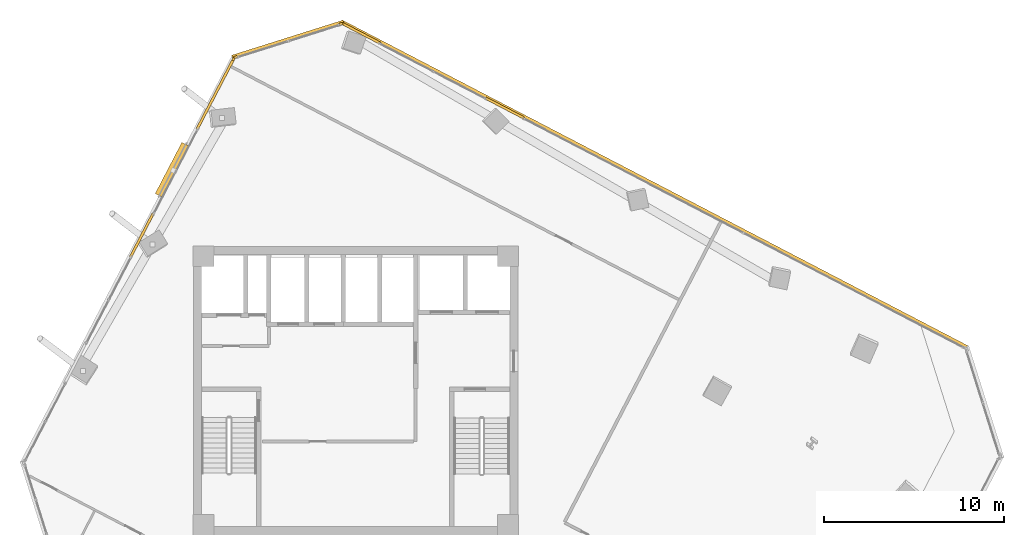
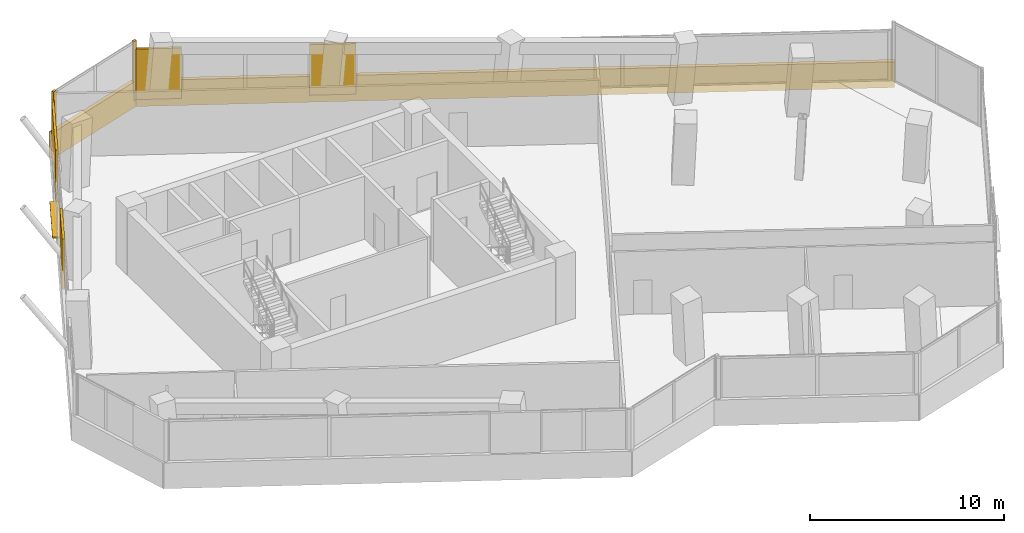
# One storey, part 22 of 22: 9 coverings, 1 shading device.
"""IFC4 building model written with IfcOpenShell, lengths in metres."""

from ifc_helpers import new_model, si_unit, direction, frame, origin, origin_2d, place, context, subcontext, project, spatial, rectangle, extrude, source, transform, mapped, material, layer, layer_set, type_object, element, save


model = new_model("IFC4")

# Units and contexts
model_context = context("Model", 3, precision=1e-05, world=origin(), true_north=direction((0.0, 1.0)))
body_context = subcontext(model_context, "Body", "Model", "MODEL_VIEW")
ifc_project = project(units=[si_unit("LENGTHUNIT", "METRE"), si_unit("AREAUNIT", "SQUARE_METRE"), si_unit("VOLUMEUNIT", "CUBIC_METRE"), si_unit("PLANEANGLEUNIT", "RADIAN"), si_unit("MASSUNIT", "GRAM", prefix="KILO")], contexts=[model_context])

# Site, building, storey
site_placement = place(None, origin())
site = spatial("IfcSite", under=ifc_project, at=site_placement, CompositionType="ELEMENT")
building_placement = place(site_placement, origin())
building = spatial("IfcBuilding", under=site, at=building_placement, Name="Torre Montelarca", CompositionType="ELEMENT")
storey_placement = place(building_placement, frame((0.0, 0.0, 175.0)))
storey = spatial("IfcBuildingStorey", under=building, at=storey_placement, Name="L39", CompositionType="ELEMENT", Elevation=175.0)

# Covering
ifc_material_1 = material(Name="Bush-hammered warm white precast concrete C45/55", Category="concrete")
ifc_layer_1 = layer(ifc_material_1, 0.139892578125, Name="Bush-hammered warm white precast concrete C45/55", Category="concrete")
ifc_layer_set_1 = layer_set([ifc_layer_1], Name="Bush-hammered warm white precast concrete C45/55")
covering_type = type_object("IfcCoveringType", Name="COV-TRAY-CLAD", PredefinedType="CLADDING", material=ifc_layer_set_1)
shared_shape_1 = source(origin(), body_context, "Body", "SweptSolid", [
    extrude(rectangle(XDim=6.48388671875, YDim=0.219970703125, at=origin_2d()), origin(), (0.0, 0.0, 1.0), 1.6201171875),
])
covering_1_placement = place(storey_placement, frame((14.24609375, 51.479248046875, -0.449951171875), z_axis=(0.0, 0.0, 1.0), x_axis=(-0.953715901081, -0.300709128603, 0.0)))
element("IfcCovering", 1, at=covering_1_placement, inside=storey, type_object=covering_type, Name="L39 Architectural White Spandrel Tray Band TRYBOT-09", PredefinedType="CLADDING", context=body_context, shape_type="MappedRepresentation", body=[
    mapped(shared_shape_1, transform((0.0, 0.0, 0.0), scale=1.0)),
])

# Shading device
ifc_material_2 = material(Name="Anodised champagne bronze aluminium AA 6063-T6", Category="aluminium")
ifc_layer_2 = layer(ifc_material_2, 0.070068359375, Name="Anodised champagne bronze aluminium AA 6063-T6", Category="aluminium")
ifc_layer_set_2 = layer_set([ifc_layer_2], Name="Anodised champagne bronze aluminium AA 6063-T6")
shading_device_type = type_object("IfcShadingDeviceType", Name="SHD-SUNSHADE-1", PredefinedType="USERDEFINED", material=ifc_layer_set_2)
shared_shape_2 = source(origin(), body_context, "Body", "SweptSolid", [
    extrude(rectangle(XDim=3.199951171875, YDim=0.47998046875, at=origin_2d()), origin(), (0.0, 0.0, 1.0), 0.10009765625),
])
shading_device_placement = place(storey_placement, frame((7.830078125, 44.24609375, 0.570068359375), z_axis=(0.0, 0.0, 1.0), x_axis=(-0.461747065108, -0.88701163908, 0.0)))
element("IfcShadingDevice", 2, at=shading_device_placement, inside=storey, type_object=shading_device_type, Name="L39 Facade Solar Shading Device E10", ObjectType="SUNSHADE", PredefinedType="USERDEFINED", context=body_context, shape_type="MappedRepresentation", body=[
    mapped(shared_shape_2, transform((0.0, 0.0, 0.0), scale=1.0)),
])

# Coverings
shared_shape_3 = source(origin(), body_context, "Body", "SweptSolid", [
    extrude(rectangle(XDim=0.199951171875, YDim=0.139892578125, at=origin_2d()), origin(), (0.0, 0.0, 1.0), 3.719970703125),
])
for number, where, z_axis, x_axis, name in (
    (3, (17.1884765625, 52.343994140625, 0.0), (0.0, 0.0, 1.0), (-0.953716950748, -0.300705799504, 0.0), "L39 Architectural Column Pier Cladding E09-1"),
    (4, (11.33984375, 50.5, 0.0), (0.0, 0.0, 1.0), (-0.953716950748, -0.300705799504, 0.0), "L39 Architectural Column Pier Cladding E09-2"),
):
    element("IfcCovering", number, at=place(storey_placement, frame(where, z_axis=z_axis, x_axis=x_axis)), inside=storey, type_object=covering_type, Name=name, PredefinedType="CLADDING", context=body_context, shape_type="MappedRepresentation", body=[
        mapped(shared_shape_3, transform((0.0, 0.0, 0.0), scale=1.0)),
    ])
shared_shape_4 = source(origin(), body_context, "Body", "SweptSolid", [
    extrude(rectangle(XDim=39.219970703125, YDim=0.219970703125, at=origin_2d()), origin(), (0.0, 0.0, 1.0), 1.6201171875),
])
covering_2_placement = place(storey_placement, frame((34.59912109375, 43.410888671875, -0.449951171875), z_axis=(0.0, 0.0, 1.0), x_axis=(-0.887010027274, 0.46175016136, 0.0)))
element("IfcCovering", 5, at=covering_2_placement, inside=storey, type_object=covering_type, Name="L39 Architectural White Spandrel Tray Band TRYBOT-08", PredefinedType="CLADDING", context=body_context, shape_type="MappedRepresentation", body=[
    mapped(shared_shape_4, transform((0.0, 0.0, 0.0), scale=1.0)),
])
shared_shape_5 = source(origin(), body_context, "Body", "SweptSolid", [
    extrude(rectangle(XDim=0.199951171875, YDim=0.139892578125, at=origin_2d()), origin(), (0.0, 0.0, 1.0), 3.175048828125),
])
covering_3_placement = place(storey_placement, frame((11.228759765625, 50.40673828125, 0.0), z_axis=(0.0, 0.0, 1.0), x_axis=(-0.46174551698, -0.88701244498, 0.0)))
element("IfcCovering", 6, at=covering_3_placement, inside=storey, type_object=covering_type, Name="L39 Architectural Column Pier Cladding E10-1", PredefinedType="CLADDING", context=body_context, shape_type="MappedRepresentation", body=[
    mapped(shared_shape_5, transform((0.0, 0.0, 0.0), scale=1.0)),
])
shared_shape_6 = source(origin(), body_context, "Body", "SweptSolid", [
    extrude(rectangle(XDim=4.3984375, YDim=0.139892578125, at=origin_2d()), origin(), (0.0, 0.0, 1.0), 3.175048828125),
])
covering_4_placement = place(storey_placement, frame((10.213134765625, 48.4560546875, 0.0), z_axis=(0.0, 0.0, 1.0), x_axis=(-0.46174551698, -0.88701244498, 0.0)))
element("IfcCovering", 7, at=covering_4_placement, inside=storey, type_object=covering_type, Name="L39 Architectural Column Pier Cladding E10-2", PredefinedType="CLADDING", context=body_context, shape_type="MappedRepresentation", body=[
    mapped(shared_shape_6, transform((0.0, 0.0, 0.0), scale=1.0)),
])
shared_shape_7 = source(origin(), body_context, "Body", "SweptSolid", [
    extrude(rectangle(XDim=2.727294921875, YDim=0.139892578125, at=origin_2d()), origin(), (0.0, 0.0, 1.0), 3.175048828125),
])
covering_5_placement = place(storey_placement, frame((6.13427734375, 40.620361328125, 0.0), z_axis=(0.0, 0.0, 1.0), x_axis=(-0.46174551698, -0.88701244498, 0.0)))
element("IfcCovering", 8, at=covering_5_placement, inside=storey, type_object=covering_type, Name="L39 Architectural Column Pier Cladding E10-3", PredefinedType="CLADDING", context=body_context, shape_type="MappedRepresentation", body=[
    mapped(shared_shape_7, transform((0.0, 0.0, 0.0), scale=1.0)),
])
shared_shape_8 = source(origin(), body_context, "Body", "SweptSolid", [
    extrude(rectangle(XDim=2.392822265625, YDim=0.139892578125, at=origin_2d()), origin(), (0.0, 0.0, 1.0), 3.175048828125),
])
covering_6_placement = place(storey_placement, frame((26.275634765625, 47.676025390625, 0.0), z_axis=(0.0, 0.0, 1.0), x_axis=(-0.887010833178, 0.461748613235, 0.0)))
element("IfcCovering", 9, at=covering_6_placement, inside=storey, type_object=covering_type, Name="L39 Architectural Column Pier Cladding E08-2", PredefinedType="CLADDING", context=body_context, shape_type="MappedRepresentation", body=[
    mapped(shared_shape_8, transform((0.0, 0.0, 0.0), scale=1.0)),
])
shared_shape_9 = source(origin(), body_context, "Body", "SweptSolid", [
    extrude(rectangle(XDim=2.386962890625, YDim=0.139892578125, at=origin_2d()), origin(), (0.0, 0.0, 1.0), 3.175048828125),
])
covering_7_placement = place(storey_placement, frame((18.302978515625, 51.826416015625, 0.0), z_axis=(0.0, 0.0, 1.0), x_axis=(-0.887010833178, 0.461748613235, 0.0)))
element("IfcCovering", 10, at=covering_7_placement, inside=storey, type_object=covering_type, Name="L39 Architectural Column Pier Cladding E08-3", PredefinedType="CLADDING", context=body_context, shape_type="MappedRepresentation", body=[
    mapped(shared_shape_9, transform((0.0, 0.0, 0.0), scale=1.0)),
])

save(model, "model.ifc")
